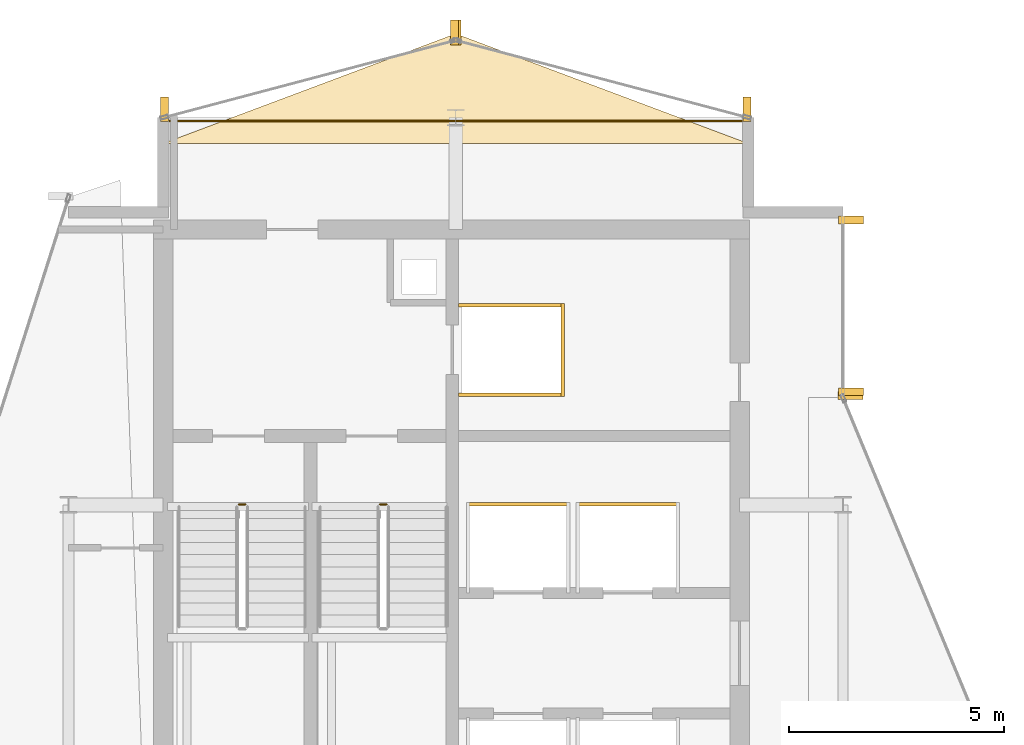
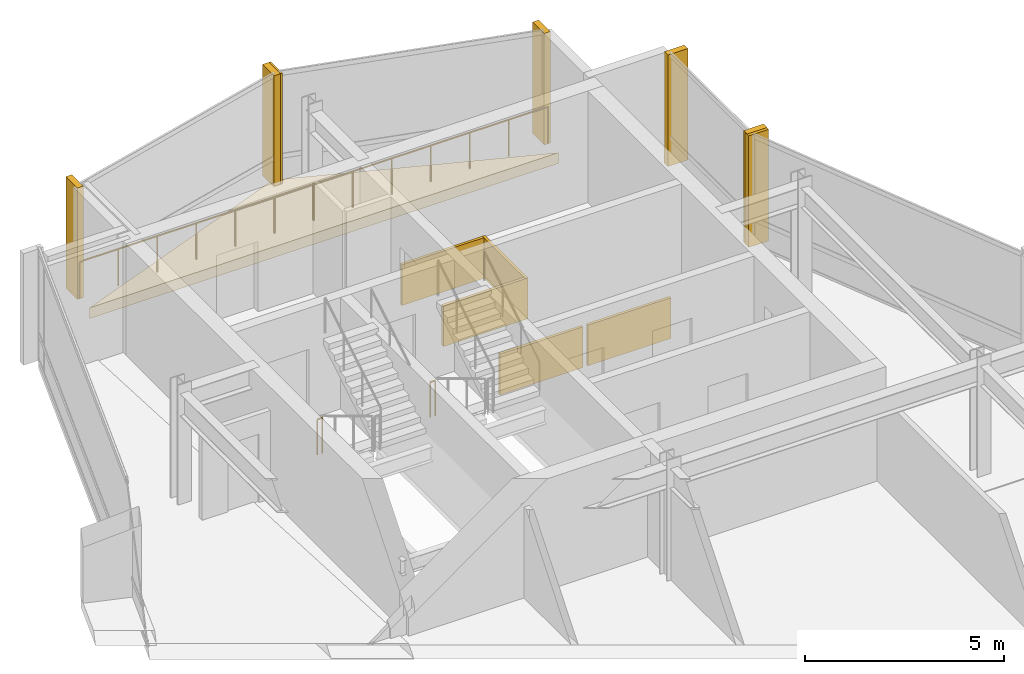
# One storey, part 19 of 19: 13 coverings, 3 railings.
"""IFC4 building model written with IfcOpenShell, lengths in metres."""

from ifc_helpers import new_model, si_unit, direction, frame, origin, origin_2d, place, context, subcontext, project, spatial, polyline, rectangle, circle, outline, extrude, material, layer, layer_set, type_object, element, save


model = new_model("IFC4")

# Units and contexts
model_context = context("Model", 3, precision=1e-05, world=origin(), true_north=direction((0.0, 1.0)))
body_context = subcontext(model_context, "Body", "Model", "MODEL_VIEW")
ifc_project = project(units=[si_unit("LENGTHUNIT", "METRE"), si_unit("AREAUNIT", "SQUARE_METRE"), si_unit("VOLUMEUNIT", "CUBIC_METRE"), si_unit("PLANEANGLEUNIT", "RADIAN"), si_unit("MASSUNIT", "GRAM", prefix="KILO")], contexts=[model_context])

# Site, building, storey
site_placement = place(None, origin())
site = spatial("IfcSite", under=ifc_project, at=site_placement, CompositionType="ELEMENT")
building_placement = place(site_placement, origin())
building = spatial("IfcBuilding", under=site, at=building_placement, Name="Solvaryn Broadcast Tower", CompositionType="ELEMENT")
storey_placement = place(building_placement, frame((0.0, 0.0, 255.60009765625)))
storey = spatial("IfcBuildingStorey", under=building, at=storey_placement, Name="L64", CompositionType="ELEMENT", Elevation=255.60009765625)

# Coverings
ifc_material_1 = material(Name="Fire-Rated Gypsum Shaftwall Liner", Category="concrete")
ifc_layer_1 = layer(ifc_material_1, 0.080078125)
ifc_layer_set_1 = layer_set([ifc_layer_1], Name="CV-SHAFT-LINER")
covering_type_1 = type_object("IfcCoveringType", Name="CV-SHAFT-LINER", PredefinedType="CLADDING", material=ifc_layer_set_1)
for number, where, z_axis, x_axis, name in (
    (1, (19.300048828125, 40.639892578125, 0.0), (0.0, 0.0, 1.0), (1.0, 0.0, 0.0), "L64 FL1 Hoistway Shaft Liner North"),
    (2, (19.300048828125, 38.56005859375, 0.0), (0.0, 0.0, 1.0), (1.0, 0.0, 0.0), "L64 FL1 Hoistway Shaft Liner South"),
):
    element("IfcCovering", number, at=place(storey_placement, frame(where, z_axis=z_axis, x_axis=x_axis)), inside=storey, type_object=covering_type_1, Name=name, PredefinedType="CLADDING", context=body_context, shape_type="SweptSolid", body=[
        extrude(rectangle(XDim=2.4599609375, YDim=0.080078125, at=origin_2d()), origin(), (0.0, 0.0, 1.0), 1.25),
    ])
covering_1_placement = place(storey_placement, frame((20.489990234375, 39.60009765625, 0.0), z_axis=(0.0, 0.0, 1.0), x_axis=(1.0, 0.0, 0.0)))
element("IfcCovering", 3, at=covering_1_placement, inside=storey, type_object=covering_type_1, Name="L64 FL1 Hoistway Shaft Liner East", PredefinedType="CLADDING", context=body_context, shape_type="SweptSolid", body=[
    extrude(rectangle(XDim=0.080078125, YDim=2.159912109375, at=origin_2d()), origin(), (0.0, 0.0, 1.0), 1.25),
])
for number, where, z_axis, x_axis, name in (
    (4, (19.449951171875, 36.014892578125, 0.0), (0.0, 0.0, 1.0), (1.0, 0.0, 0.0), "L64 PH3 Hoistway Shaft Liner North"),
    (5, (22.0, 36.014892578125, 0.0), (0.0, 0.0, 1.0), (1.0, 0.0, 0.0), "L64 PH4 Hoistway Shaft Liner North"),
):
    element("IfcCovering", number, at=place(storey_placement, frame(where, z_axis=z_axis, x_axis=x_axis)), inside=storey, type_object=covering_type_1, Name=name, PredefinedType="CLADDING", context=body_context, shape_type="SweptSolid", body=[
        extrude(rectangle(XDim=2.409912109375, YDim=0.080078125, at=origin_2d()), origin(), (0.0, 0.0, 1.0), 1.25),
    ])
ifc_material_2 = material(Name="Extruded Architectural Terracotta Fin", Category="masonry")
ifc_layer_2 = layer(ifc_material_2, 0.179931640625)
ifc_layer_set_2 = layer_set([ifc_layer_2], Name="CV-TC-FIN")
covering_type_2 = type_object("IfcCoveringType", Name="CV-TC-FIN", PredefinedType="USERDEFINED", material=ifc_layer_set_2)
for number, where, z_axis, x_axis, name in (
    (6, (27.1875, 42.6201171875, 0.0), (0.0, 0.0, 1.0), (1.0, 0.0, 0.0), "L64 Terracotta Vertical Fin FIN-L64-IV-M00"),
    (7, (27.1875, 38.6298828125, 0.0), (0.0, 0.0, 1.0), (1.0, 0.0, 0.0), "L64 Terracotta Vertical Fin FIN-L64-IV-M01"),
    (8, (27.177978515625, 38.541259765625, 0.0), (0.0, 0.0, 1.0), (1.0, 0.0, 0.0), "L64 Terracotta Vertical Fin FIN-L64-CN2-M01"),
):
    element("IfcCovering", number, at=place(storey_placement, frame(where, z_axis=z_axis, x_axis=x_axis)), inside=storey, type_object=covering_type_2, Name=name, ObjectType="FIN", PredefinedType="USERDEFINED", context=body_context, shape_type="SweptSolid", body=[
        extrude(rectangle(XDim=0.580078125, YDim=0.179931640625, at=origin_2d()), origin(), (0.0, 0.0, 1.0), 3.419921875),
    ])
for number, where, z_axis, x_axis, name in (
    (9, (24.77099609375, 45.1953125, 0.0), (0.0, 0.0, 1.0), (1.0, 0.0, 0.0), "L64 Terracotta Vertical Fin FIN-L64-NT1-M00"),
    (10, (18.029052734375, 46.979736328125, 0.0), (0.0, 0.0, 1.0), (1.0, 0.0, 0.0), "L64 Terracotta Vertical Fin FIN-L64-NT1-M01"),
    (11, (17.970947265625, 46.979736328125, 0.0), (0.0, 0.0, 1.0), (1.0, 0.0, 0.0), "L64 Terracotta Vertical Fin FIN-L64-NT2-M00"),
    (12, (11.22900390625, 45.1953125, 0.0), (0.0, 0.0, 1.0), (1.0, 0.0, 0.0), "L64 Terracotta Vertical Fin FIN-L64-NT2-M01"),
):
    element("IfcCovering", number, at=place(storey_placement, frame(where, z_axis=z_axis, x_axis=x_axis)), inside=storey, type_object=covering_type_2, Name=name, ObjectType="FIN", PredefinedType="USERDEFINED", context=body_context, shape_type="SweptSolid", body=[
        extrude(rectangle(XDim=0.179931640625, YDim=0.580078125, at=origin_2d()), origin(), (0.0, 0.0, 1.0), 3.419921875),
    ])
ifc_material_3 = material(Name="Sculpted Architectural Terracotta Wave Fascia", Category="masonry")
ifc_layer_3 = layer(ifc_material_3, 0.340087890625)
ifc_layer_set_3 = layer_set([ifc_layer_3], Name="CV-WAVE-TRAY")
covering_type_3 = type_object("IfcCoveringType", Name="CV-WAVE-TRAY", PredefinedType="CLADDING", material=ifc_layer_set_3)
covering_2_placement = place(storey_placement, frame((0.0, 0.0, -0.300048828125)))
element("IfcCovering", 13, at=covering_2_placement, inside=storey, type_object=covering_type_3, Name="L64 North Curved Wing Deck", PredefinedType="CLADDING", context=body_context, shape_type="SweptSolid", body=[
    extrude(outline(polyline([(11.199951171875, 44.39990234375), (24.800048828125, 44.39990234375), (18.0, 46.949951171875), (11.199951171875, 44.39990234375)])), origin(), (0.0, 0.0, 1.0), 0.329833984375),
])

# Railings
ifc_material_4 = material(Name="Painted Steel Stair Well Guard", Category="steel")
railing_type_1 = type_object("IfcRailingType", Name="RL-STAIR-GUARD", PredefinedType="BALUSTRADE", material=ifc_material_4)
railing_1_placement = place(storey_placement, frame((12.9599609375, 36.010009765625, 0.0)))
element("IfcRailing", 14, at=railing_1_placement, inside=storey, type_object=railing_type_1, Name="L64 ST1 stair guard 4", PredefinedType="BALUSTRADE", context=body_context, shape_type="SweptSolid", body=[
    extrude(circle(Radius=0.02392578125, at=origin_2d()), frame((0.0, 0.0, 1.076171875), z_axis=(1.0, 0.0, 0.0), x_axis=(0.0, 1.0, 0.0)), (0.0, 0.0, 1.0), 0.150146484375),
    extrude(circle(Radius=0.02099609375, at=origin_2d()), origin(), (0.0, 0.0, 1.0), 1.052001953125),
    extrude(circle(Radius=0.02099609375, at=origin_2d()), frame((0.150146484375, 0.0, 0.0)), (0.0, 0.0, 1.0), 1.052001953125),
])
railing_2_placement = place(storey_placement, frame((16.239990234375, 36.010009765625, 0.0)))
element("IfcRailing", 15, at=railing_2_placement, inside=storey, type_object=railing_type_1, Name="L64 ST2 stair guard 4", PredefinedType="BALUSTRADE", context=body_context, shape_type="SweptSolid", body=[
    extrude(circle(Radius=0.02392578125, at=origin_2d()), frame((0.0, 0.0, 1.076171875), z_axis=(1.0, 0.0, 0.0), x_axis=(0.0, 1.0, 0.0)), (0.0, 0.0, 1.0), 0.14990234375),
    extrude(circle(Radius=0.02099609375, at=origin_2d()), origin(), (0.0, 0.0, 1.0), 1.052001953125),
    extrude(circle(Radius=0.02099609375, at=origin_2d()), frame((0.14990234375, 0.0, 0.0)), (0.0, 0.0, 1.0), 1.052001953125),
])
ifc_material_5 = material(Name="Stainless Steel and Laminated Glass Guard", Category="steel")
railing_type_2 = type_object("IfcRailingType", Name="RL-TER-1150", PredefinedType="BALUSTRADE", material=ifc_material_5)
railing_3_placement = place(storey_placement, frame((11.199951171875, 44.919921875, 0.0)))
element("IfcRailing", 16, at=railing_3_placement, inside=storey, type_object=railing_type_2, Name="L64 North Wing Spandrel Edge Guard", PredefinedType="BALUSTRADE", context=body_context, shape_type="SweptSolid", body=[
    extrude(circle(Radius=0.02392578125, at=origin_2d()), frame((0.0, 0.0, 1.1259765625), z_axis=(1.0, 0.0, 0.0), x_axis=(0.0, 1.0, 0.0)), (0.0, 0.0, 1.0), 13.60009765625),
    extrude(circle(Radius=0.02099609375, at=origin_2d()), origin(), (0.0, 0.0, 1.0), 1.101806640625),
    extrude(circle(Radius=0.02099609375, at=origin_2d()), frame((1.13330078125, 0.0, 0.0)), (0.0, 0.0, 1.0), 1.101806640625),
    extrude(circle(Radius=0.02099609375, at=origin_2d()), frame((2.2666015625, 0.0, 0.0)), (0.0, 0.0, 1.0), 1.101806640625),
    extrude(circle(Radius=0.02099609375, at=origin_2d()), frame((3.39990234375, 0.0, 0.0)), (0.0, 0.0, 1.0), 1.101806640625),
    extrude(circle(Radius=0.02099609375, at=origin_2d()), frame((4.533447265625, 0.0, 0.0)), (0.0, 0.0, 1.0), 1.101806640625),
    extrude(circle(Radius=0.02099609375, at=origin_2d()), frame((5.666748046875, 0.0, 0.0)), (0.0, 0.0, 1.0), 1.101806640625),
    extrude(circle(Radius=0.02099609375, at=origin_2d()), frame((6.800048828125, 0.0, 0.0)), (0.0, 0.0, 1.0), 1.101806640625),
    extrude(circle(Radius=0.02099609375, at=origin_2d()), frame((7.933349609375, 0.0, 0.0)), (0.0, 0.0, 1.0), 1.101806640625),
    extrude(circle(Radius=0.02099609375, at=origin_2d()), frame((9.066650390625, 0.0, 0.0)), (0.0, 0.0, 1.0), 1.101806640625),
    extrude(circle(Radius=0.02099609375, at=origin_2d()), frame((10.2001953125, 0.0, 0.0)), (0.0, 0.0, 1.0), 1.101806640625),
    extrude(circle(Radius=0.02099609375, at=origin_2d()), frame((11.33349609375, 0.0, 0.0)), (0.0, 0.0, 1.0), 1.101806640625),
    extrude(circle(Radius=0.02099609375, at=origin_2d()), frame((12.466796875, 0.0, 0.0)), (0.0, 0.0, 1.0), 1.101806640625),
    extrude(circle(Radius=0.02099609375, at=origin_2d()), frame((13.60009765625, 0.0, 0.0)), (0.0, 0.0, 1.0), 1.101806640625),
])

save(model, "model.ifc")
